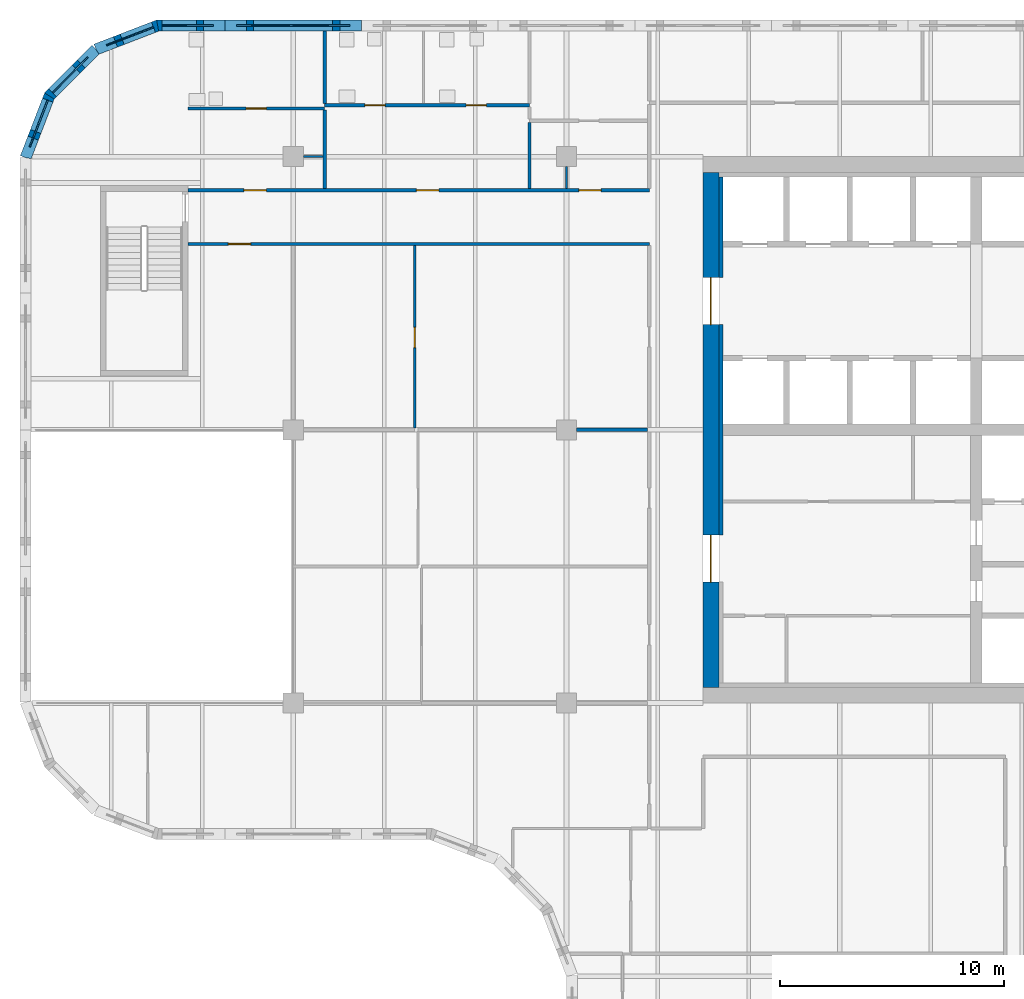
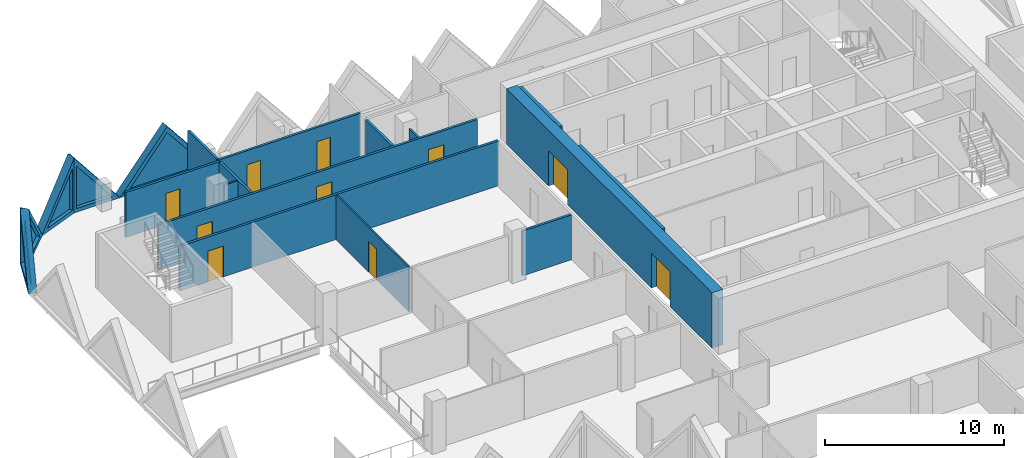
# One storey, part 8 of 17: 19 walls, 10 doors, 5 plates, 15 openings.
"""IFC4 building model written with IfcOpenShell, lengths in metres."""

import ifcopenshell
import ifcopenshell.guid

model = None  # the IFC model being written
_history = None  # IfcOwnerHistory: only IFC2X3 demands one
_inside = {}  # id of a spatial element -> (the spatial element, [elements in it])
_under = {}  # id of a project, library or spatial element -> (it, [spatial elements below it])
_declared = {}  # id of a project -> (the project, [libraries it declares])
_typed = {}  # id of a type object -> (the type object, [elements of that type])
_made_of = {}  # id of a material, layer set ... -> (it, [elements and type objects made of it])


def new_model(schema):
    """Start an empty IFC model of exactly this schema.

    Asked for "IFC4X3", IfcOpenShell would pick the latest addendum, in which some entities
    have other attributes; the version numbers below select the first issue.
    IFC2X3 requires an IfcOwnerHistory on every rooted entity: one is made here for all.
    """
    global model, _history
    if schema == "IFC4X3":
        model = ifcopenshell.file(schema_version=(4, 3, 0, 0))
    else:
        model = ifcopenshell.file(schema=schema)
    _inside.clear()
    _under.clear()
    _declared.clear()
    _typed.clear()
    _made_of.clear()
    _history = None
    if model.schema == "IFC2X3":
        org = make("IfcOrganization", Name="unknown")
        user = make(
            "IfcPersonAndOrganization",
            ThePerson=make("IfcPerson", FamilyName="unknown"),
            TheOrganization=org,
        )
        app = make(
            "IfcApplication",
            ApplicationDeveloper=org,
            Version="unknown",
            ApplicationFullName="unknown",
            ApplicationIdentifier="unknown",
        )
        _history = make(
            "IfcOwnerHistory",
            OwningUser=user,
            OwningApplication=app,
            ChangeAction="ADDED",
            CreationDate=0,
        )
    return model


def make(cls, **values):
    """One entity of the class cls with the attributes given. An attribute that is None is left unset."""
    return model.create_entity(
        cls, **{name: value for name, value in values.items() if value is not None}
    )


def rooted(cls, **values):
    """An entity with a GlobalId (a new one), such as an element, a storey or a relation."""
    return make(cls, GlobalId=ifcopenshell.guid.new(), OwnerHistory=_history, **values)


def si_unit(unit_type, name, prefix=None):
    """IfcSIUnit, for example si_unit("LENGTHUNIT", "METRE", prefix="MILLI")."""
    return make("IfcSIUnit", UnitType=unit_type, Prefix=prefix, Name=name)


def assignment(units):
    """IfcUnitAssignment: the units of a project."""
    return None if units is None else make("IfcUnitAssignment", Units=units)


def point(xyz):
    """IfcCartesianPoint."""
    return None if xyz is None else make("IfcCartesianPoint", Coordinates=xyz)


def direction(xyz):
    """IfcDirection."""
    return None if xyz is None else make("IfcDirection", DirectionRatios=xyz)


def frame(location, z_axis=None, x_axis=None):
    """IfcAxis2Placement3D, a coordinate frame: its origin and axes. An axis left out is left unset."""
    return make(
        "IfcAxis2Placement3D",
        Location=point(location),
        Axis=direction(z_axis),
        RefDirection=direction(x_axis),
    )


def frame_2d(location, x_axis=None):
    """IfcAxis2Placement2D, a coordinate frame in the plane: its origin and x axis."""
    return make(
        "IfcAxis2Placement2D", Location=point(location), RefDirection=direction(x_axis)
    )


def origin():
    """The frame at (0, 0, 0) with its axes left unset."""
    return frame((0.0, 0.0, 0.0))


def place(relative_to, where):
    """IfcLocalPlacement: puts the frame where relative to a parent placement (None: the world)."""
    return make(
        "IfcLocalPlacement", PlacementRelTo=relative_to, RelativePlacement=where
    )


def context(
    kind, dimensions, precision=None, world=None, true_north=None, identifier=None
):
    """IfcGeometricRepresentationContext, for example the 3D "Model" context."""
    return make(
        "IfcGeometricRepresentationContext",
        ContextIdentifier=identifier,
        ContextType=kind,
        CoordinateSpaceDimension=dimensions,
        Precision=precision,
        WorldCoordinateSystem=world,
        TrueNorth=true_north,
    )


def subcontext(parent, identifier, kind, view, scale=None):
    """IfcGeometricRepresentationSubContext, for example "Body" below "Model"."""
    return make(
        "IfcGeometricRepresentationSubContext",
        ContextIdentifier=identifier,
        ContextType=kind,
        ParentContext=parent,
        TargetScale=scale,
        TargetView=view,
    )


def project(units=None, contexts=None):
    """IfcProject with its units and contexts."""
    return rooted(
        "IfcProject",
        Name="project",
        RepresentationContexts=contexts,
        UnitsInContext=assignment(units),
    )


def spatial(cls, under=None, at=None, **own):
    """A site, building, storey or space (cls), placed at a placement, below another one or the project."""
    s = rooted(cls, ObjectPlacement=at, **own)
    if under is not None:
        _under.setdefault(under.id(), (under, []))[1].append(s)
    return s


def polyline(points):
    """IfcPolyline through the points."""
    return make("IfcPolyline", Points=[point(p) for p in points])


def profile(cls, at=None, kind="AREA", **sizes):
    """A parametric profile (cls). Its sizes go by their IFC names, for example OverallWidth=200.0."""
    return make(cls, ProfileType=kind, Position=at, **sizes)


def rectangle(**sizes):
    """IfcRectangleProfileDef."""
    return profile("IfcRectangleProfileDef", **sizes)


def outline(outer, holes=None, kind="AREA"):
    """IfcArbitraryClosedProfileDef: a profile drawn as a closed curve; with holes, ...WithVoids."""
    if holes is None:
        return make("IfcArbitraryClosedProfileDef", ProfileType=kind, OuterCurve=outer)
    return make(
        "IfcArbitraryProfileDefWithVoids",
        ProfileType=kind,
        OuterCurve=outer,
        InnerCurves=holes,
    )


def extrude(swept, where, along, depth):
    """IfcExtrudedAreaSolid: the profile swept, set in the frame where, extruded along a direction by depth."""
    return make(
        "IfcExtrudedAreaSolid",
        SweptArea=swept,
        Position=where,
        ExtrudedDirection=direction(along),
        Depth=depth,
    )


def faces_of(points, faces, orient=None, outer=None):
    """IfcFace entities. A face is a list of loops; a loop is a list of indices into points, from 0.

    orient and outer hold one flag for each loop. By default every Orientation is true, the
    first loop of a face is its IfcFaceOuterBound and the others are IfcFaceBound.
    """
    made = []
    for i, loops in enumerate(faces):
        bounds = []
        for j, loop in enumerate(loops):
            is_outer = j == 0 if outer is None else outer[i][j]
            bounds.append(
                make(
                    "IfcFaceOuterBound" if is_outer else "IfcFaceBound",
                    Bound=make("IfcPolyLoop", Polygon=[points[k] for k in loop]),
                    Orientation=True if orient is None else orient[i][j],
                )
            )
        made.append(make("IfcFace", Bounds=bounds))
    return made


def faceted_brep(points, faces, orient=None, outer=None, voids=None):
    """IfcFacetedBrep: a solid bounded by flat faces; with voids (closed shells), ...WithVoids."""
    shared = [point(p) for p in points]
    hull = make("IfcClosedShell", CfsFaces=faces_of(shared, faces, orient, outer))
    if voids is None:
        return make("IfcFacetedBrep", Outer=hull)
    return make(
        "IfcFacetedBrepWithVoids",
        Outer=hull,
        Voids=[
            make(cls, CfsFaces=faces_of(shared, fs, o, b)) for cls, fs, o, b in voids
        ],
    )


def shape(context_of_items, identifier, shape_type, items):
    """IfcShapeRepresentation: the items that make up one representation, for example the "Body"."""
    return make(
        "IfcShapeRepresentation",
        ContextOfItems=context_of_items,
        RepresentationIdentifier=identifier,
        RepresentationType=shape_type,
        Items=items,
    )


def source(mapping_origin, context_of_items, identifier, shape_type, items):
    """IfcRepresentationMap: a shape defined once, which mapped items show again and again."""
    return make(
        "IfcRepresentationMap",
        MappingOrigin=mapping_origin,
        MappedRepresentation=shape(context_of_items, identifier, shape_type, items),
    )


def transform(
    local_origin,
    x_axis=None,
    y_axis=None,
    z_axis=None,
    scale=None,
    scale2=None,
    scale3=None,
    uniform=True,
):
    """IfcCartesianTransformationOperator3D, or its non-uniform kind. x_axis, y_axis, z_axis: its Axis1, 2, 3."""
    if uniform:
        return make(
            "IfcCartesianTransformationOperator3D",
            Axis1=direction(x_axis),
            Axis2=direction(y_axis),
            LocalOrigin=point(local_origin),
            Scale=scale,
            Axis3=direction(z_axis),
        )
    return make(
        "IfcCartesianTransformationOperator3DnonUniform",
        Axis1=direction(x_axis),
        Axis2=direction(y_axis),
        LocalOrigin=point(local_origin),
        Scale=scale,
        Axis3=direction(z_axis),
        Scale2=scale2,
        Scale3=scale3,
    )


def mapped(mapping_source, mapping_target):
    """IfcMappedItem: shows the shape of a source again, moved by a transform."""
    return make(
        "IfcMappedItem", MappingSource=mapping_source, MappingTarget=mapping_target
    )


def material(Name=None, Category=None):
    """IfcMaterial."""
    return make("IfcMaterial", Name=Name, Category=Category)


def layer(
    of_material, thickness, ventilated=None, Name=None, Category=None, Priority=None
):
    """IfcMaterialLayer: one layer of a wall or slab, of a material (None: an air gap)."""
    return make(
        "IfcMaterialLayer",
        Material=of_material,
        LayerThickness=thickness,
        IsVentilated=ventilated,
        Name=Name,
        Category=Category,
        Priority=Priority,
    )


def layer_set(layers, Name=None):
    """IfcMaterialLayerSet."""
    return make("IfcMaterialLayerSet", MaterialLayers=layers, LayerSetName=Name)


def made_of(thing, what):
    """Note that an element or type object is made of a material, layer set ...; save() writes the relation."""
    if what is not None:
        _made_of.setdefault(what.id(), (what, []))[1].append(thing)
    return thing


def type_object(cls, material=None, **own):
    """A type object (cls), such as IfcWallType, which elements share."""
    return made_of(rooted(cls, **own), material)


def element(
    cls,
    number,
    at=None,
    inside=None,
    cuts=None,
    type_object=None,
    material=None,
    context=None,
    identifier="Body",
    shape_type=None,
    held_by="IfcProductDefinitionShape",
    body=None,
    shapes=None,
    **own,
):
    """One element of the class cls, such as IfcWall. Its Tag is "e" and its number.

    at: its placement. inside: the storey or other place that contains it. cuts: it is an
    opening in that element (IfcRelVoidsElement). A single representation is given by context,
    identifier, shape_type and body (its items); several are given by shapes. held_by: the class
    of the entity that holds the representations. save() writes the other relations.
    """
    e = rooted(cls, Tag="e%d" % number, ObjectPlacement=at, **own)
    if body is not None:
        shapes = [shape(context, identifier, shape_type, body)]
    if shapes is not None:
        e.Representation = make(held_by, Representations=shapes)
    if inside is not None:
        _inside.setdefault(inside.id(), (inside, []))[1].append(e)
    if cuts is not None:
        rooted(
            "IfcRelVoidsElement", RelatingBuildingElement=cuts, RelatedOpeningElement=e
        )
    if type_object is not None:
        _typed.setdefault(type_object.id(), (type_object, []))[1].append(e)
    return made_of(e, material)


def fill(opening, filler):
    """IfcRelFillsElement: the door or window that sits in an opening."""
    return rooted(
        "IfcRelFillsElement",
        RelatingOpeningElement=opening,
        RelatedBuildingElement=filler,
    )


def aggregate(whole, parts):
    """IfcRelAggregates: a whole, such as a stair, and the parts it consists of."""
    return rooted("IfcRelAggregates", RelatingObject=whole, RelatedObjects=parts)


def save(model, path):
    """Write the relations noted so far, then the file.

    IfcRelAggregates (storeys below a building ...), IfcRelContainedInSpatialStructure (elements
    in a storey), IfcRelDefinesByType, IfcRelAssociatesMaterial and IfcRelDeclares: one each for
    every whole, place, type object, material and project.
    """
    for whole, parts in _under.values():
        aggregate(whole, parts)
    for where, things in _inside.values():
        rooted(
            "IfcRelContainedInSpatialStructure",
            RelatedElements=things,
            RelatingStructure=where,
        )
    for kind, things in _typed.values():
        rooted("IfcRelDefinesByType", RelatedObjects=things, RelatingType=kind)
    for what, things in _made_of.values():
        rooted("IfcRelAssociatesMaterial", RelatedObjects=things, RelatingMaterial=what)
    for by, libraries in _declared.values():
        rooted("IfcRelDeclares", RelatingContext=by, RelatedDefinitions=libraries)
    model.write(path)


model = new_model("IFC4")

# Units and contexts
model_context = context("Model", 3, precision=1e-05, world=origin(), true_north=direction((0.0, 1.0)))
body_context = subcontext(model_context, "Body", "Model", "MODEL_VIEW")
ifc_project = project(units=[si_unit("LENGTHUNIT", "METRE"), si_unit("AREAUNIT", "SQUARE_METRE"), si_unit("VOLUMEUNIT", "CUBIC_METRE"), si_unit("PLANEANGLEUNIT", "RADIAN"), si_unit("MASSUNIT", "GRAM", prefix="KILO")], contexts=[model_context])

# Site, building, storey
site_placement = place(None, origin())
site = spatial("IfcSite", under=ifc_project, at=site_placement, CompositionType="ELEMENT")
building_placement = place(site_placement, origin())
building = spatial("IfcBuilding", under=site, at=building_placement, Name="Tessera Gate Towers", CompositionType="ELEMENT")
storey_placement = place(building_placement, frame((0.0, 0.0, 112.60009765625)))
storey = spatial("IfcBuildingStorey", under=building, at=storey_placement, Name="L27", CompositionType="ELEMENT", Elevation=112.60009765625)

# Wall, openings, doors
ifc_material_1 = material(Name="Concrete C60/75", Category="concrete")
ifc_layer_1 = layer(ifc_material_1, 0.699951171875)
ifc_layer_set_1 = layer_set([ifc_layer_1], Name="CORE SHEAR WALL 700 C60/75")
wall_type_1 = type_object("IfcWallType", Name="CORE SHEAR WALL 700 C60/75", PredefinedType="SHEAR", material=ifc_layer_set_1)
wall_1_placement = place(storey_placement, frame((30.85009765625, 25.10009765625, 0.0), z_axis=(0.0, 0.0, 1.0), x_axis=(0.0, 1.0, 0.0)))
wall_1 = element("IfcWall", 1, at=wall_1_placement, inside=storey, type_object=wall_type_1, Name="Core wall W L27", PredefinedType="SHEAR", context=body_context, shape_type="SweptSolid", body=[
    extrude(rectangle(XDim=23.0, YDim=0.699951171875, at=frame_2d((11.5, 0.0))), origin(), (0.0, 0.0, 1.0), 3.7998046875),
])
shared_shape_1 = source(origin(), body_context, "Body", "SweptSolid", [
    extrude(rectangle(XDim=2.10009765625, YDim=2.39990234375, at=frame_2d((1.050048828125, 1.199951171875))), frame((0.0, 0.35986328125, 0.0), z_axis=(0.0, -1.0, 0.0), x_axis=(1.0, 0.0, 0.0)), (0.0, 0.0, 1.0), 0.719970703125),
])
opening_1_placement = place(wall_1_placement, frame((4.699951171875, 0.0, 0.0)))
opening_1 = element("IfcOpeningElement", 2, at=opening_1_placement, cuts=wall_1, Name="Opening DD-T1-19-02", PredefinedType="OPENING", context=body_context, shape_type="MappedRepresentation", body=[
    mapped(shared_shape_1, transform((0.0, 0.0, 0.0), scale=1.0)),
])
opening_2_placement = place(wall_1_placement, frame((16.199951171875, 0.0, 0.0)))
opening_2 = element("IfcOpeningElement", 3, at=opening_2_placement, cuts=wall_1, Name="Opening DD-T1-19-03", PredefinedType="OPENING", context=body_context, shape_type="MappedRepresentation", body=[
    mapped(shared_shape_1, transform((0.0, 0.0, 0.0), scale=1.0)),
])
ifc_material_2 = material(Name="Hollow steel fire door", Category="steel")
door_type_1 = type_object("IfcDoorType", Name="CORE DOOR DD 2100x2400", OperationType="NOTDEFINED", PredefinedType="DOOR", material=ifc_material_2)
shared_shape_2 = source(origin(), body_context, "Body", "SweptSolid", [
    extrude(rectangle(XDim=2.10009765625, YDim=2.39990234375, at=frame_2d((1.050048828125, 1.199951171875))), frame((0.0, 0.02490234375, 0.0), z_axis=(0.0, -1.0, 0.0), x_axis=(1.0, 0.0, 0.0)), (0.0, 0.0, 1.0), 0.050048828125),
])
door_1_placement = place(opening_1_placement, origin())
door_1 = element("IfcDoor", 4, at=door_1_placement, inside=storey, type_object=door_type_1, Name="Core entrance door", OperationType="DOUBLE_DOOR_SINGLE_SWING", OverallHeight=2.39990234375, OverallWidth=2.10009765625, PredefinedType="DOOR", context=body_context, shape_type="MappedRepresentation", body=[
    mapped(shared_shape_2, transform((0.0, 0.0, 0.0), scale=1.0)),
])
fill(opening_1, door_1)
door_2_placement = place(opening_2_placement, origin())
door_2 = element("IfcDoor", 5, at=door_2_placement, inside=storey, type_object=door_type_1, Name="Core entrance door", OperationType="DOUBLE_DOOR_SINGLE_SWING", OverallHeight=2.39990234375, OverallWidth=2.10009765625, PredefinedType="DOOR", context=body_context, shape_type="MappedRepresentation", body=[
    mapped(shared_shape_2, transform((0.0, 0.0, 0.0), scale=1.0)),
])
fill(opening_2, door_2)

# Walls
ifc_material_3 = material(Name="Concrete C60/75", Category="concrete")
ifc_layer_2 = layer(ifc_material_3, 0.199951171875)
ifc_layer_set_2 = layer_set([ifc_layer_2], Name="CORE WALL THICKENING 200")
wall_type_2 = type_object("IfcWallType", Name="CORE WALL THICKENING 200", PredefinedType="SOLIDWALL", material=ifc_layer_set_2)
wall_2_placement = place(storey_placement, frame((31.300048828125, 31.89990234375, 0.0), z_axis=(0.0, 0.0, 1.0), x_axis=(0.0, 1.0, 0.0)))
element("IfcWall", 6, at=wall_2_placement, inside=storey, type_object=wall_type_2, Name="Core wall thickening W L27", PredefinedType="SOLIDWALL", context=body_context, shape_type="SweptSolid", body=[
    extrude(rectangle(XDim=9.400146484375, YDim=0.199951171875, at=frame_2d((4.7001953125, 0.0))), origin(), (0.0, 0.0, 1.0), 3.7998046875),
])
wall_3_placement = place(storey_placement, frame((31.300048828125, 43.39990234375, 0.0), z_axis=(0.0, 0.0, 1.0), x_axis=(0.0, 1.0, 0.0)))
element("IfcWall", 7, at=wall_3_placement, inside=storey, type_object=wall_type_2, Name="Core wall thickening W L27", PredefinedType="SOLIDWALL", context=body_context, shape_type="SweptSolid", body=[
    extrude(rectangle(XDim=4.5, YDim=0.199951171875, at=frame_2d((2.25, 0.0))), origin(), (0.0, 0.0, 1.0), 3.7998046875),
])

# Wall, opening, door
ifc_material_4 = material(Name="Gypsum board on steel studs, mineral wool", Category="steel")
ifc_layer_3 = layer(ifc_material_4, 0.14990234375)
ifc_layer_set_3 = layer_set([ifc_layer_3], Name="CORRIDOR WALL 150")
wall_type_3 = type_object("IfcWallType", Name="CORRIDOR WALL 150", PredefinedType="PARTITIONING", material=ifc_layer_set_3)
wall_4_placement = place(storey_placement, frame((28.10009765625, 44.89990234375, 0.0), z_axis=(0.0, 0.0, 1.0), x_axis=(-1.0, 0.0, 0.0)))
wall_4 = element("IfcWall", 8, at=wall_4_placement, inside=storey, type_object=wall_type_3, Name="T1-L27-PW-041", PredefinedType="PARTITIONING", context=body_context, shape_type="SweptSolid", body=[
    extrude(rectangle(XDim=20.60009765625, YDim=0.14990234375, at=frame_2d((10.300048828125, 0.0))), origin(), (0.0, 0.0, 1.0), 3.06689453125),
])
shared_shape_3 = source(origin(), body_context, "Body", "SweptSolid", [
    extrude(rectangle(XDim=1.0, YDim=2.10009765625, at=frame_2d((0.5, 1.050048828125))), frame((0.0, 0.0849609375, 0.0), z_axis=(0.0, -1.0, 0.0), x_axis=(1.0, 0.0, 0.0)), (0.0, 0.0, 1.0), 0.169921875),
])
opening_3_placement = place(wall_4_placement, frame((17.800048828125, 0.0, 0.0)))
opening_3 = element("IfcOpeningElement", 9, at=opening_3_placement, cuts=wall_4, Name="Opening D2100FD60-A10-01", PredefinedType="OPENING", context=body_context, shape_type="MappedRepresentation", body=[
    mapped(shared_shape_3, transform((0.0, 0.0, 0.0), scale=1.0)),
])
ifc_material_5 = material(Name="Timber door leaf in steel frame", Category="steel")
door_type_2 = type_object("IfcDoorType", Name="TENANCY ENTRANCE DOOR 1000 FD60", OperationType="NOTDEFINED", PredefinedType="DOOR", material=ifc_material_5)
shared_shape_4 = source(origin(), body_context, "Body", "SweptSolid", [
    extrude(rectangle(XDim=1.0, YDim=2.10009765625, at=frame_2d((0.5, 1.050048828125))), frame((0.0, 0.02490234375, 0.0), z_axis=(0.0, -1.0, 0.0), x_axis=(1.0, 0.0, 0.0)), (0.0, 0.0, 1.0), 0.050048828125),
])
door_3_placement = place(opening_3_placement, origin())
door_3 = element("IfcDoor", 10, at=door_3_placement, inside=storey, type_object=door_type_2, Name="T1-L27-PD-004", OperationType="SINGLE_SWING_RIGHT", OverallHeight=2.10009765625, OverallWidth=1.0, PredefinedType="DOOR", context=body_context, shape_type="MappedRepresentation", body=[
    mapped(shared_shape_4, transform((0.0, 0.0, 0.0), scale=1.0)),
])
fill(opening_3, door_3)

# Wall, openings, doors
wall_5_placement = place(storey_placement, frame((7.5, 47.300048828125, 0.0), z_axis=(0.0, 0.0, 1.0), x_axis=(1.0, 0.0, 0.0)))
wall_5 = element("IfcWall", 11, at=wall_5_placement, inside=storey, type_object=wall_type_3, Name="T1-L27-PW-042", PredefinedType="PARTITIONING", context=body_context, shape_type="SweptSolid", body=[
    extrude(rectangle(XDim=20.60009765625, YDim=0.14990234375, at=frame_2d((10.300048828125, 0.0))), origin(), (0.0, 0.0, 1.0), 3.06689453125),
])
opening_4_placement = place(wall_5_placement, frame((17.450927734375, 0.0, 0.0)))
opening_4 = element("IfcOpeningElement", 12, at=opening_4_placement, cuts=wall_5, Name="Opening D2100FD60-A10-02", PredefinedType="OPENING", context=body_context, shape_type="MappedRepresentation", body=[
    mapped(shared_shape_3, transform((0.0, 0.0, 0.0), scale=1.0)),
])
opening_5_placement = place(wall_5_placement, frame((2.5, 0.0, 0.0)))
opening_5 = element("IfcOpeningElement", 13, at=opening_5_placement, cuts=wall_5, Name="Opening D2100FD60-A10-03", PredefinedType="OPENING", context=body_context, shape_type="MappedRepresentation", body=[
    mapped(shared_shape_3, transform((0.0, 0.0, 0.0), scale=1.0)),
])
opening_6_placement = place(wall_5_placement, frame((10.199951171875, 0.0, 0.0)))
opening_6 = element("IfcOpeningElement", 14, at=opening_6_placement, cuts=wall_5, Name="Opening D2100FD60-A10-06", PredefinedType="OPENING", context=body_context, shape_type="MappedRepresentation", body=[
    mapped(shared_shape_3, transform((0.0, 0.0, 0.0), scale=1.0)),
])
door_4_placement = place(opening_4_placement, origin())
door_4 = element("IfcDoor", 15, at=door_4_placement, inside=storey, type_object=door_type_2, Name="T1-L27-PD-007", OperationType="SINGLE_SWING_LEFT", OverallHeight=2.10009765625, OverallWidth=1.0, PredefinedType="DOOR", context=body_context, shape_type="MappedRepresentation", body=[
    mapped(shared_shape_4, transform((0.0, 0.0, 0.0), scale=1.0)),
])
fill(opening_4, door_4)
door_5_placement = place(opening_5_placement, origin())
door_5 = element("IfcDoor", 16, at=door_5_placement, inside=storey, type_object=door_type_2, Name="T1-L27-PD-015", OperationType="SINGLE_SWING_LEFT", OverallHeight=2.10009765625, OverallWidth=1.0, PredefinedType="DOOR", context=body_context, shape_type="MappedRepresentation", body=[
    mapped(shared_shape_4, transform((0.0, 0.0, 0.0), scale=1.0)),
])
fill(opening_5, door_5)
door_6_placement = place(opening_6_placement, origin())
door_6 = element("IfcDoor", 17, at=door_6_placement, inside=storey, type_object=door_type_2, Name="T1-L27-PD-024", OperationType="SINGLE_SWING_LEFT", OverallHeight=2.10009765625, OverallWidth=1.0, PredefinedType="DOOR", context=body_context, shape_type="MappedRepresentation", body=[
    mapped(shared_shape_4, transform((0.0, 0.0, 0.0), scale=1.0)),
])
fill(opening_6, door_6)

# Wall, opening, door
ifc_material_6 = material(Name="Glass", Category="glass")
ifc_layer_4 = layer(ifc_material_6, 0.10009765625)
ifc_layer_set_4 = layer_set([ifc_layer_4], Name="GLAZED PARTITION 100")
wall_type_4 = type_object("IfcWallType", Name="GLAZED PARTITION 100", PredefinedType="PARTITIONING", material=ifc_layer_set_4)
wall_6_placement = place(storey_placement, frame((17.625, 36.676025390625, 0.0), z_axis=(0.0, 0.0, 1.0), x_axis=(0.0, 1.0, 0.0)))
wall_6 = element("IfcWall", 18, at=wall_6_placement, inside=storey, type_object=wall_type_4, Name="T1-L27-PW-039", PredefinedType="PARTITIONING", context=body_context, shape_type="SweptSolid", body=[
    extrude(rectangle(XDim=8.14794921875, YDim=0.10009765625, at=frame_2d((4.073974609375, 0.0))), origin(), (0.0, 0.0, 1.0), 3.06689453125),
])
shared_shape_5 = source(origin(), body_context, "Body", "SweptSolid", [
    extrude(rectangle(XDim=0.89990234375, YDim=2.10009765625, at=frame_2d((0.449951171875, 1.050048828125))), frame((0.0, 0.06005859375, 0.0), z_axis=(0.0, -1.0, 0.0), x_axis=(1.0, 0.0, 0.0)), (0.0, 0.0, 1.0), 0.1201171875),
])
opening_7_placement = place(wall_6_placement, frame((3.60009765625, 0.0, 0.0)))
opening_7 = element("IfcOpeningElement", 19, at=opening_7_placement, cuts=wall_6, Name="Opening D690-A10-06", PredefinedType="OPENING", context=body_context, shape_type="MappedRepresentation", body=[
    mapped(shared_shape_5, transform((0.0, 0.0, 0.0), scale=1.0)),
])
ifc_material_7 = material(Name="Glass in aluminium frame", Category="aluminium")
door_type_3 = type_object("IfcDoorType", Name="GLAZED DOOR 900 NOT RATED", OperationType="NOTDEFINED", PredefinedType="DOOR", material=ifc_material_7)
shared_shape_6 = source(origin(), body_context, "Body", "SweptSolid", [
    extrude(rectangle(XDim=0.89990234375, YDim=2.10009765625, at=frame_2d((0.449951171875, 1.050048828125))), frame((0.0, 0.02490234375, 0.0), z_axis=(0.0, -1.0, 0.0), x_axis=(1.0, 0.0, 0.0)), (0.0, 0.0, 1.0), 0.050048828125),
])
door_7_placement = place(opening_7_placement, origin())
door_7 = element("IfcDoor", 20, at=door_7_placement, inside=storey, type_object=door_type_3, Name="T1-L27-PD-019", OperationType="SINGLE_SWING_LEFT", OverallHeight=2.10009765625, OverallWidth=0.89990234375, PredefinedType="DOOR", context=body_context, shape_type="MappedRepresentation", body=[
    mapped(shared_shape_6, transform((0.0, 0.0, 0.0), scale=1.0)),
])
fill(opening_7, door_7)

# Walls
ifc_material_8 = material(Name="Gypsum board on steel studs", Category="steel")
ifc_layer_5 = layer(ifc_material_8, 0.10009765625)
ifc_layer_set_5 = layer_set([ifc_layer_5], Name="PARTITION 100")
wall_type_5 = type_object("IfcWallType", Name="PARTITION 100", PredefinedType="PARTITIONING", material=ifc_layer_set_5)
wall_7_placement = place(storey_placement, frame((24.39990234375, 48.35009765625, 0.0), z_axis=(0.0, 0.0, 1.0), x_axis=(0.0, -1.0, 0.0)))
element("IfcWall", 21, at=wall_7_placement, inside=storey, type_object=wall_type_5, Name="T1-L27-PW-046", PredefinedType="PARTITIONING", context=body_context, shape_type="SweptSolid", body=[
    extrude(rectangle(XDim=0.97509765625, YDim=0.10009765625, at=frame_2d((0.487548828125, 0.0))), origin(), (0.0, 0.0, 1.0), 3.06689453125),
])
wall_8_placement = place(storey_placement, frame((12.64990234375, 48.800048828125, 0.0), z_axis=(0.0, 0.0, 1.0), x_axis=(1.0, 0.0, 0.0)))
element("IfcWall", 22, at=wall_8_placement, inside=storey, type_object=wall_type_5, Name="T1-L27-PW-047", PredefinedType="PARTITIONING", context=body_context, shape_type="SweptSolid", body=[
    extrude(rectangle(XDim=0.875, YDim=0.10009765625, at=frame_2d((0.4375, 0.0))), origin(), (0.0, 0.0, 1.0), 3.06689453125),
])
ifc_material_9 = material(Name="Gypsum board on steel studs, mineral wool", Category="steel")
ifc_layer_6 = layer(ifc_material_9, 0.14990234375)
ifc_layer_set_6 = layer_set([ifc_layer_6], Name="TENANCY WALL 150")
wall_type_6 = type_object("IfcWallType", Name="TENANCY WALL 150", PredefinedType="PARTITIONING", material=ifc_layer_set_6)
wall_9_placement = place(storey_placement, frame((24.85107421875, 36.60009765625, 0.0), z_axis=(0.0, 0.0, 1.0), x_axis=(1.0, 0.0, 0.0)))
element("IfcWall", 23, at=wall_9_placement, inside=storey, type_object=wall_type_6, Name="T1-L27-PW-038", PredefinedType="PARTITIONING", context=body_context, shape_type="SweptSolid", body=[
    extrude(rectangle(XDim=3.1728515625, YDim=0.14990234375, at=frame_2d((1.58642578125, 0.0))), origin(), (0.0, 0.0, 1.0), 3.06689453125),
])
wall_10_placement = place(storey_placement, frame((13.60009765625, 47.3759765625, 0.0), z_axis=(0.0, 0.0, 1.0), x_axis=(0.0, 1.0, 0.0)))
element("IfcWall", 24, at=wall_10_placement, inside=storey, type_object=wall_type_6, Name="T1-L27-PW-043", PredefinedType="PARTITIONING", context=body_context, shape_type="SweptSolid", body=[
    extrude(rectangle(XDim=3.498046875, YDim=0.14990234375, at=frame_2d((1.7490234375, 0.0))), origin(), (0.0, 0.0, 1.0), 3.06689453125),
])
wall_11_placement = place(storey_placement, frame((22.75, 47.3759765625, 0.0), z_axis=(0.0, 0.0, 1.0), x_axis=(0.0, 1.0, 0.0)))
element("IfcWall", 25, at=wall_11_placement, inside=storey, type_object=wall_type_6, Name="T1-L27-PW-044", PredefinedType="PARTITIONING", context=body_context, shape_type="SweptSolid", body=[
    extrude(rectangle(XDim=2.947998046875, YDim=0.14990234375, at=frame_2d((1.47412109375, 0.0))), origin(), (0.0, 0.0, 1.0), 3.06689453125),
])

# Wall, opening, door
wall_12_placement = place(storey_placement, frame((7.5, 50.949951171875, 0.0), z_axis=(0.0, 0.0, 1.0), x_axis=(1.0, 0.0, 0.0)))
wall_12 = element("IfcWall", 26, at=wall_12_placement, inside=storey, type_object=wall_type_6, Name="T1-L27-PW-050", PredefinedType="PARTITIONING", context=body_context, shape_type="SweptSolid", body=[
    extrude(rectangle(XDim=6.10009765625, YDim=0.14990234375, at=frame_2d((3.050048828125, 0.0))), origin(), (0.0, 0.0, 1.0), 3.06689453125),
])
shared_shape_7 = source(origin(), body_context, "Body", "SweptSolid", [
    extrude(rectangle(XDim=0.89990234375, YDim=2.10009765625, at=frame_2d((0.449951171875, 1.050048828125))), frame((0.0, 0.0849609375, 0.0), z_axis=(0.0, -1.0, 0.0), x_axis=(1.0, 0.0, 0.0)), (0.0, 0.0, 1.0), 0.169921875),
])
opening_8_placement = place(wall_12_placement, frame((2.60009765625, 0.0, 0.0)))
opening_8 = element("IfcOpeningElement", 27, at=opening_8_placement, cuts=wall_12, Name="Opening D190-A10-06", PredefinedType="OPENING", context=body_context, shape_type="MappedRepresentation", body=[
    mapped(shared_shape_7, transform((0.0, 0.0, 0.0), scale=1.0)),
])
ifc_material_10 = material(Name="Timber door leaf in steel frame", Category="steel")
door_type_4 = type_object("IfcDoorType", Name="INTERNAL DOOR 900 NOT RATED", OperationType="NOTDEFINED", PredefinedType="DOOR", material=ifc_material_10)
door_8_placement = place(opening_8_placement, origin())
door_8 = element("IfcDoor", 28, at=door_8_placement, inside=storey, type_object=door_type_4, Name="T1-L27-PD-016", OperationType="SINGLE_SWING_LEFT", OverallHeight=2.10009765625, OverallWidth=0.89990234375, PredefinedType="DOOR", context=body_context, shape_type="MappedRepresentation", body=[
    mapped(shared_shape_6, transform((0.0, 0.0, 0.0), scale=1.0)),
])
fill(opening_8, door_8)

# Wall, openings, doors
wall_13_placement = place(storey_placement, frame((13.60009765625, 51.10009765625, 0.0), z_axis=(0.0, 0.0, 1.0), x_axis=(1.0, 0.0, 0.0)))
wall_13 = element("IfcWall", 29, at=wall_13_placement, inside=storey, type_object=wall_type_6, Name="T1-L27-PW-051", PredefinedType="PARTITIONING", context=body_context, shape_type="SweptSolid", body=[
    extrude(rectangle(XDim=9.14990234375, YDim=0.14990234375, at=frame_2d((4.574951171875, 0.0))), origin(), (0.0, 0.0, 1.0), 3.06689453125),
])
opening_9_placement = place(wall_13_placement, frame((1.800048828125, 0.0, 0.0)))
opening_9 = element("IfcOpeningElement", 30, at=opening_9_placement, cuts=wall_13, Name="Opening D190-A10-02", PredefinedType="OPENING", context=body_context, shape_type="MappedRepresentation", body=[
    mapped(shared_shape_7, transform((0.0, 0.0, 0.0), scale=1.0)),
])
opening_10_placement = place(wall_13_placement, frame((6.3203125, 0.0, 0.0)))
opening_10 = element("IfcOpeningElement", 31, at=opening_10_placement, cuts=wall_13, Name="Opening D190-A10-03", PredefinedType="OPENING", context=body_context, shape_type="MappedRepresentation", body=[
    mapped(shared_shape_7, transform((0.0, 0.0, 0.0), scale=1.0)),
])
door_9_placement = place(opening_9_placement, origin())
door_9 = element("IfcDoor", 32, at=door_9_placement, inside=storey, type_object=door_type_4, Name="T1-L27-PD-003", OperationType="SINGLE_SWING_LEFT", OverallHeight=2.10009765625, OverallWidth=0.89990234375, PredefinedType="DOOR", context=body_context, shape_type="MappedRepresentation", body=[
    mapped(shared_shape_6, transform((0.0, 0.0, 0.0), scale=1.0)),
])
fill(opening_9, door_9)
door_10_placement = place(opening_10_placement, origin())
door_10 = element("IfcDoor", 33, at=door_10_placement, inside=storey, type_object=door_type_4, Name="T1-L27-PD-005", OperationType="SINGLE_SWING_LEFT", OverallHeight=2.10009765625, OverallWidth=0.89990234375, PredefinedType="DOOR", context=body_context, shape_type="MappedRepresentation", body=[
    mapped(shared_shape_6, transform((0.0, 0.0, 0.0), scale=1.0)),
])
fill(opening_10, door_10)

# Wall
wall_14_placement = place(storey_placement, frame((13.60009765625, 51.176025390625, 0.0), z_axis=(0.0, 0.0, 1.0), x_axis=(0.0, 1.0, 0.0)))
element("IfcWall", 34, at=wall_14_placement, inside=storey, type_object=wall_type_6, Name="T1-L27-PW-052", PredefinedType="PARTITIONING", context=body_context, shape_type="SweptSolid", body=[
    extrude(rectangle(XDim=3.223876953125, YDim=0.14990234375, at=frame_2d((1.61181640625, 0.0))), origin(), (0.0, 0.0, 1.0), 3.06689453125),
])

# Wall, opening, plate
ifc_material_11 = material(Name="Precast concrete C60/75 white", Category="concrete")
ifc_layer_7 = layer(ifc_material_11, 0.5)
ifc_layer_set_7 = layer_set([ifc_layer_7], Name="TS2 half tessera")
wall_type_7 = type_object("IfcWallType", Name="TS2 half tessera", PredefinedType="SOLIDWALL", material=ifc_layer_set_7)
shared_shape_8 = source(origin(), body_context, "Body", "SweptSolid", [
    extrude(outline(polyline([(6.10009765625, 0.0), (3.050048828125, 3.7998046875), (0.0, 0.0), (6.10009765625, 0.0)])), frame((0.0, 0.25, 0.0), z_axis=(0.0, -1.0, 0.0), x_axis=(1.0, 0.0, 0.0)), (0.0, 0.0, 1.0), 0.5),
])
wall_15_placement = place(storey_placement, frame((15.25, 54.64990234375, 0.0), z_axis=(0.0, 0.0, 1.0), x_axis=(-1.0, 0.0, 0.0)))
wall_15 = element("IfcWall", 35, at=wall_15_placement, inside=storey, type_object=wall_type_7, Name="Precast half tessera T1 TS2-0154", PredefinedType="SOLIDWALL", context=body_context, shape_type="MappedRepresentation", body=[
    mapped(shared_shape_8, transform((0.0, 0.0, 0.0), scale=1.0)),
])
shared_shape_9 = source(origin(), body_context, "Body", "SweptSolid", [
    extrude(outline(polyline([(5.578857421875, 0.25), (3.050048828125, 3.400390625), (0.521240234375, 0.25), (5.578857421875, 0.25)])), frame((0.0, 0.260009765625, 0.0), z_axis=(0.0, -1.0, 0.0), x_axis=(1.0, 0.0, 0.0)), (0.0, 0.0, 1.0), 0.52001953125),
])
opening_11_placement = place(wall_15_placement, origin())
opening_11 = element("IfcOpeningElement", 36, at=opening_11_placement, cuts=wall_15, Name="Opening T1-PL1-0308", PredefinedType="OPENING", context=body_context, shape_type="MappedRepresentation", body=[
    mapped(shared_shape_9, transform((0.0, 0.0, 0.0), scale=1.0)),
])
ifc_material_12 = material(Name="Low-e laminated glass", Category="glass")
ifc_layer_8 = layer(ifc_material_12, 0.06005859375)
ifc_layer_set_8 = layer_set([ifc_layer_8], Name="PL1 triangular pane")
plate_type = type_object("IfcPlateType", Name="PL1 triangular pane", PredefinedType="SHEET", material=ifc_layer_set_8)
shared_shape_10 = source(origin(), body_context, "Body", "SweptSolid", [
    extrude(outline(polyline([(5.578857421875, 0.25), (3.050048828125, 3.400390625), (0.521240234375, 0.25), (5.578857421875, 0.25)])), frame((0.0, 0.030029296875, 0.0), z_axis=(0.0, -1.0, 0.0), x_axis=(1.0, 0.0, 0.0)), (0.0, 0.0, 1.0), 0.06005859375),
])
plate_1_placement = place(opening_11_placement, origin())
plate_1 = element("IfcPlate", 37, at=plate_1_placement, inside=storey, type_object=plate_type, Name="Glass pane T1 PL1-0308", PredefinedType="SHEET", context=body_context, shape_type="MappedRepresentation", body=[
    mapped(shared_shape_10, transform((0.0, 0.0, 0.0), scale=1.0)),
])
fill(opening_11, plate_1)

ifc_material_13 = material(Name="Precast concrete C60/75 white", Category="concrete")
ifc_layer_9 = layer(ifc_material_13, 0.5)
ifc_layer_set_9 = layer_set([ifc_layer_9], Name="TS3 corner tessera")
wall_type_8 = type_object("IfcWallType", Name="TS3 corner tessera", PredefinedType="SOLIDWALL", material=ifc_layer_set_9)
shared_shape_11 = source(origin(), body_context, "Body", "Brep", [
    faceted_brep([(3.050048828125, -0.25, 3.73974609375), (3.00341796875, -0.25, 3.7998046875), (0.0, -0.25, 0.0), (3.050048828125, -0.25, 0.0), (0.0, 0.25, 0.0), (2.956787109375, 0.25, 3.740966796875), (2.956787109375, 0.25, 0.0), (3.00341796875, 0.000244140625, 3.7998046875)], [[[0, 1, 2, 3]], [[4, 5, 6]], [[7, 1, 0]], [[5, 4, 2, 1, 7]], [[4, 6, 3, 2]], [[3, 6, 5, 7, 0]]]),
])
wall_16_placement = place(storey_placement, frame((9.14990234375, 54.64990234375, 0.0), z_axis=(0.0, 0.0, 1.0), x_axis=(-1.0, 0.0, 0.0)))
wall_16 = element("IfcWall", 38, at=wall_16_placement, inside=storey, type_object=wall_type_8, Name="Precast corner tessera T1 TS3-0611", PredefinedType="SOLIDWALL", context=body_context, shape_type="MappedRepresentation", body=[
    mapped(shared_shape_11, transform((0.0, 0.0, 0.0), scale=1.0)),
])
shared_shape_12 = source(origin(), body_context, "Body", "SweptSolid", [
    extrude(outline(polyline([(2.803466796875, 3.143798828125), (0.516357421875, 0.25), (2.803466796875, 0.25), (2.803466796875, 3.143798828125)])), frame((0.0, 0.260009765625, 0.0), z_axis=(0.0, -1.0, 0.0), x_axis=(1.0, 0.0, 0.0)), (0.0, 0.0, 1.0), 0.52001953125),
])
opening_12_placement = place(wall_16_placement, origin())
opening_12 = element("IfcOpeningElement", 39, at=opening_12_placement, cuts=wall_16, Name="Opening T1-PL1-0309", PredefinedType="OPENING", context=body_context, shape_type="MappedRepresentation", body=[
    mapped(shared_shape_12, transform((0.0, 0.0, 0.0), scale=1.0)),
])
shared_shape_13 = source(origin(), body_context, "Body", "SweptSolid", [
    extrude(outline(polyline([(2.803466796875, 3.143798828125), (0.516357421875, 0.25), (2.803466796875, 0.25), (2.803466796875, 3.143798828125)])), frame((0.0, 0.030029296875, 0.0), z_axis=(0.0, -1.0, 0.0), x_axis=(1.0, 0.0, 0.0)), (0.0, 0.0, 1.0), 0.06005859375),
])
plate_2_placement = place(opening_12_placement, origin())
plate_2 = element("IfcPlate", 40, at=plate_2_placement, inside=storey, type_object=plate_type, Name="Glass pane T1 PL1-0309", PredefinedType="SHEET", context=body_context, shape_type="MappedRepresentation", body=[
    mapped(shared_shape_13, transform((0.0, 0.0, 0.0), scale=1.0)),
])
fill(opening_12, plate_2)

shared_shape_14 = source(origin(), body_context, "Body", "Brep", [
    faceted_brep([(2.9970703125, -0.25, 0.0), (0.046630859375, -0.25, 3.7998046875), (0.0, -0.25, 3.740966796875), (0.0, -0.25, 0.0), (0.09326171875, 0.25, 3.73974609375), (2.9443359375, 0.25, 0.068115234375), (2.9443359375, 0.25, 0.0), (0.09326171875, 0.25, 0.0), (0.046630859375, 0.0, 3.7998046875), (2.9970703125, 0.00048828125, 0.0)], [[[0, 1, 2, 3]], [[4, 5, 6, 7]], [[5, 4, 8, 1, 0, 9]], [[2, 1, 8]], [[7, 6, 9, 0, 3]], [[7, 3, 2, 8, 4]], [[9, 6, 5]]]),
])
wall_17_placement = place(storey_placement, frame((6.18994140625, 54.666748046875, 0.0), z_axis=(0.0, 0.0, 1.0), x_axis=(-0.932990326376, -0.359901446078, 0.0)))
wall_17 = element("IfcWall", 41, at=wall_17_placement, inside=storey, type_object=wall_type_8, Name="Precast corner tessera T1 TS3-0612", PredefinedType="SOLIDWALL", context=body_context, shape_type="MappedRepresentation", body=[
    mapped(shared_shape_14, transform((0.0, 0.0, 0.0), scale=1.0)),
])
shared_shape_15 = source(origin(), body_context, "Body", "SweptSolid", [
    extrude(outline(polyline([(2.486572265625, 0.25), (0.24658203125, 3.134765625), (0.24658203125, 0.25), (2.486572265625, 0.25)])), frame((0.0, 0.260009765625, 0.0), z_axis=(0.0, -1.0, 0.0), x_axis=(1.0, 0.0, 0.0)), (0.0, 0.0, 1.0), 0.52001953125),
])
opening_13_placement = place(wall_17_placement, origin())
opening_13 = element("IfcOpeningElement", 42, at=opening_13_placement, cuts=wall_17, Name="Opening T1-PL1-0310", PredefinedType="OPENING", context=body_context, shape_type="MappedRepresentation", body=[
    mapped(shared_shape_15, transform((0.0, 0.0, 0.0), scale=1.0)),
])
shared_shape_16 = source(origin(), body_context, "Body", "SweptSolid", [
    extrude(outline(polyline([(2.486572265625, 0.25), (0.24658203125, 3.134765625), (0.24658203125, 0.25), (2.486572265625, 0.25)])), frame((0.0, 0.030029296875, 0.0), z_axis=(0.0, -1.0, 0.0), x_axis=(1.0, 0.0, 0.0)), (0.0, 0.0, 1.0), 0.06005859375),
])
plate_3_placement = place(opening_13_placement, origin())
plate_3 = element("IfcPlate", 43, at=plate_3_placement, inside=storey, type_object=plate_type, Name="Glass pane T1 PL1-0310", PredefinedType="SHEET", context=body_context, shape_type="MappedRepresentation", body=[
    mapped(shared_shape_16, transform((0.0, 0.0, 0.0), scale=1.0)),
])
fill(opening_13, plate_3)

shared_shape_17 = source(origin(), body_context, "Body", "Brep", [
    faceted_brep([(3.00341796875, -0.25, 0.0), (0.052978515625, -0.25, 3.7998046875), (0.0, -0.25, 3.7314453125), (0.0, -0.25, 0.0), (0.10595703125, 0.25, 3.731689453125), (2.95703125, 0.25, 0.059814453125), (2.95703125, 0.25, 0.0), (0.10595703125, 0.25, 0.0), (0.052978515625, 0.0, 3.7998046875), (3.00341796875, 0.00048828125, 0.0)], [[[0, 1, 2, 3]], [[4, 5, 6, 7]], [[5, 4, 8, 1, 0, 9]], [[2, 1, 8]], [[7, 6, 9, 0, 3]], [[7, 3, 2, 8, 4]], [[9, 6, 5]]]),
])
wall_18_placement = place(storey_placement, frame((1.3310546875, 51.5556640625, 0.0), z_axis=(0.0, 0.0, 1.0), x_axis=(-0.35992665181, -0.932980602862, 0.0)))
wall_18 = element("IfcWall", 44, at=wall_18_placement, inside=storey, type_object=wall_type_8, Name="Precast corner tessera T1 TS3-0614", PredefinedType="SOLIDWALL", context=body_context, shape_type="MappedRepresentation", body=[
    mapped(shared_shape_17, transform((0.0, 0.0, 0.0), scale=1.0)),
])
shared_shape_18 = source(origin(), body_context, "Body", "SweptSolid", [
    extrude(outline(polyline([(2.492919921875, 0.25), (0.2529296875, 3.134765625), (0.2529296875, 0.25), (2.492919921875, 0.25)])), frame((0.0, 0.260009765625, 0.0), z_axis=(0.0, -1.0, 0.0), x_axis=(1.0, 0.0, 0.0)), (0.0, 0.0, 1.0), 0.52001953125),
])
opening_14_placement = place(wall_18_placement, origin())
opening_14 = element("IfcOpeningElement", 45, at=opening_14_placement, cuts=wall_18, Name="Opening T1-PL1-0312", PredefinedType="OPENING", context=body_context, shape_type="MappedRepresentation", body=[
    mapped(shared_shape_18, transform((0.0, 0.0, 0.0), scale=1.0)),
])
shared_shape_19 = source(origin(), body_context, "Body", "SweptSolid", [
    extrude(outline(polyline([(2.492919921875, 0.25), (0.2529296875, 3.134765625), (0.2529296875, 0.25), (2.492919921875, 0.25)])), frame((0.0, 0.030029296875, 0.0), z_axis=(0.0, -1.0, 0.0), x_axis=(1.0, 0.0, 0.0)), (0.0, 0.0, 1.0), 0.06005859375),
])
plate_4_placement = place(opening_14_placement, origin())
plate_4 = element("IfcPlate", 46, at=plate_4_placement, inside=storey, type_object=plate_type, Name="Glass pane T1 PL1-0312", PredefinedType="SHEET", context=body_context, shape_type="MappedRepresentation", body=[
    mapped(shared_shape_19, transform((0.0, 0.0, 0.0), scale=1.0)),
])
fill(opening_14, plate_4)

shared_shape_20 = source(origin(), body_context, "Body", "Brep", [
    faceted_brep([(2.9970703125, -0.25, 3.731689453125), (2.944091796875, -0.25, 3.7998046875), (0.0, -0.25, 0.0), (2.9970703125, -0.25, 0.0), (0.052978515625, 0.25, 0.068359375), (2.89111328125, 0.25, 3.731689453125), (2.89111328125, 0.25, 0.0), (0.052978515625, 0.25, 0.0), (2.944091796875, 0.000244140625, 3.7998046875), (0.0, 0.0, 0.0)], [[[0, 1, 2, 3]], [[4, 5, 6, 7]], [[8, 1, 0]], [[5, 4, 9, 2, 1, 8]], [[7, 6, 3, 2, 9]], [[7, 9, 4]], [[3, 6, 5, 8, 0]]]),
])
wall_19_placement = place(storey_placement, frame((3.393798828125, 53.588134765625, 0.0), z_axis=(0.0, 0.0, 1.0), x_axis=(-0.707106781187, -0.707106781187, 0.0)))
wall_19 = element("IfcWall", 47, at=wall_19_placement, inside=storey, type_object=wall_type_8, Name="Precast corner tessera T1 TS3-0613", PredefinedType="SOLIDWALL", context=body_context, shape_type="MappedRepresentation", body=[
    mapped(shared_shape_20, transform((0.0, 0.0, 0.0), scale=1.0)),
])
shared_shape_21 = source(origin(), body_context, "Body", "SweptSolid", [
    extrude(outline(polyline([(2.744140625, 3.133544921875), (0.510009765625, 0.25), (2.744140625, 0.25), (2.744140625, 3.133544921875)])), frame((0.0, 0.260009765625, 0.0), z_axis=(0.0, -1.0, 0.0), x_axis=(1.0, 0.0, 0.0)), (0.0, 0.0, 1.0), 0.52001953125),
])
opening_15_placement = place(wall_19_placement, origin())
opening_15 = element("IfcOpeningElement", 48, at=opening_15_placement, cuts=wall_19, Name="Opening T1-PL1-0311", PredefinedType="OPENING", context=body_context, shape_type="MappedRepresentation", body=[
    mapped(shared_shape_21, transform((0.0, 0.0, 0.0), scale=1.0)),
])
shared_shape_22 = source(origin(), body_context, "Body", "SweptSolid", [
    extrude(outline(polyline([(2.744140625, 3.133544921875), (0.510009765625, 0.25), (2.744140625, 0.25), (2.744140625, 3.133544921875)])), frame((0.0, 0.030029296875, 0.0), z_axis=(0.0, -1.0, 0.0), x_axis=(1.0, 0.0, 0.0)), (0.0, 0.0, 1.0), 0.06005859375),
])
plate_5_placement = place(opening_15_placement, origin())
plate_5 = element("IfcPlate", 49, at=plate_5_placement, inside=storey, type_object=plate_type, Name="Glass pane T1 PL1-0311", PredefinedType="SHEET", context=body_context, shape_type="MappedRepresentation", body=[
    mapped(shared_shape_22, transform((0.0, 0.0, 0.0), scale=1.0)),
])
fill(opening_15, plate_5)

save(model, "model.ifc")
